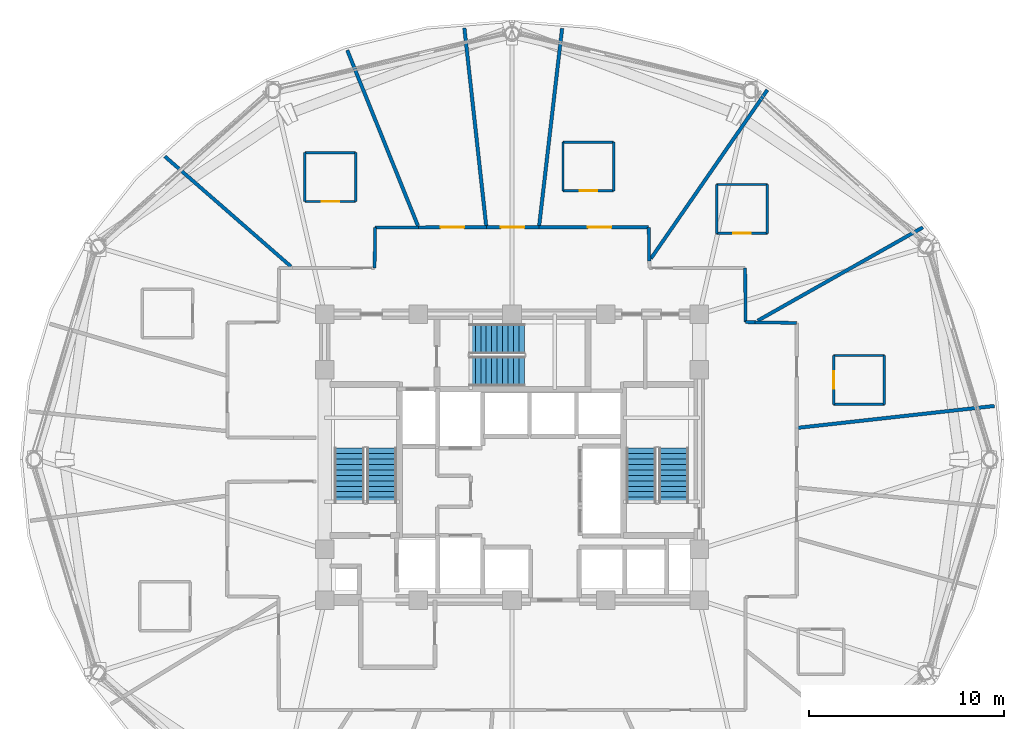
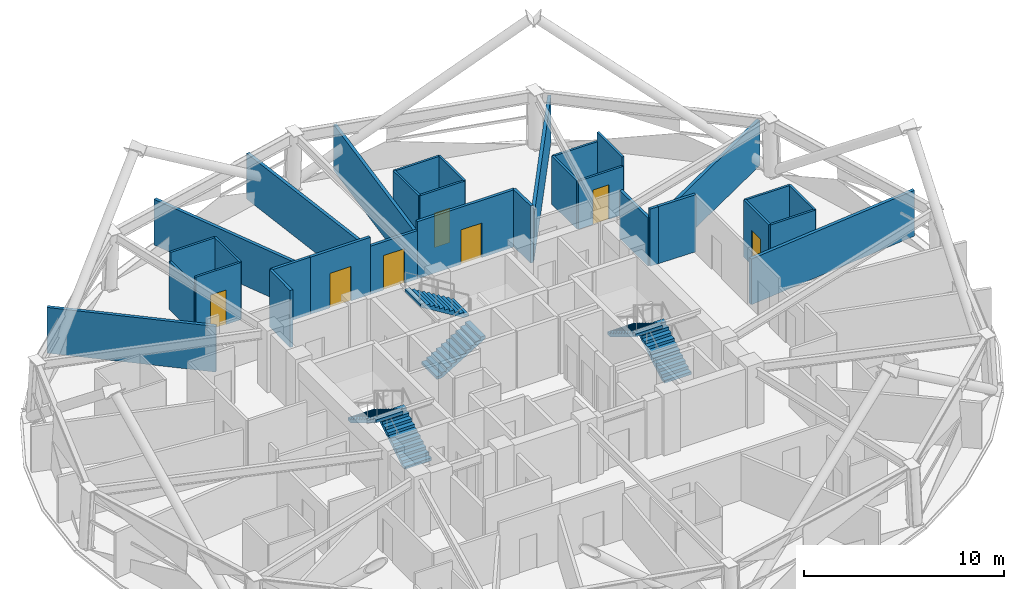
# One storey, part 10 of 13: 32 walls, 7 doors, 6 stair flights, 7 openings, 3 elements without a shape of their own.
"""IFC4 building model written with IfcOpenShell, lengths in metres."""

from ifc_helpers import new_model, si_unit, direction, frame, frame_2d, origin, place, context, subcontext, project, spatial, polyline, rectangle, outline, extrude, material, layer, layer_set, type_object, element, fill, aggregate, save


model = new_model("IFC4")

# Units and contexts
model_context = context("Model", 3, precision=1e-05, world=origin(), true_north=direction((0.0, 1.0)))
body_context = subcontext(model_context, "Body", "Model", "MODEL_VIEW")
ifc_project = project(units=[si_unit("LENGTHUNIT", "METRE"), si_unit("AREAUNIT", "SQUARE_METRE"), si_unit("VOLUMEUNIT", "CUBIC_METRE"), si_unit("PLANEANGLEUNIT", "RADIAN"), si_unit("MASSUNIT", "GRAM", prefix="KILO")], contexts=[model_context])

# Site, building, storey
site_placement = place(None, origin())
site = spatial("IfcSite", under=ifc_project, at=site_placement, CompositionType="ELEMENT")
building_placement = place(site_placement, origin())
building = spatial("IfcBuilding", under=site, at=building_placement, Name="Vantalir Tower", CompositionType="ELEMENT")
storey_placement = place(building_placement, frame((0.0, 0.0, 172.199951171875)))
storey = spatial("IfcBuildingStorey", under=building, at=storey_placement, Name="L43", CompositionType="ELEMENT", Elevation=172.199951171875)

# Walls
ifc_material_1 = material(Name="Moisture-resistant en-suite partition", Category="gypsum")
ifc_layer_1 = layer(ifc_material_1, 0.125)
ifc_layer_set_1 = layer_set([ifc_layer_1], Name="Moisture-resistant en-suite partition")
wall_type_1 = type_object("IfcWallType", Name="WL-BATH-125", PredefinedType="PARTITIONING", material=ifc_layer_set_1)
for number, where, z_axis, x_axis, name in (
    (1, (47.98291015625, 27.830078125, 0.0), (0.0, 0.0, 1.0), (1.0, 0.0, 0.0), "L43 En-suite 01 South Wall"),
    (2, (47.98291015625, 30.330078125, 0.0), (0.0, 0.0, 1.0), (1.0, 0.0, 0.0), "L43 En-suite 01 North Wall"),
):
    element("IfcWall", number, at=place(storey_placement, frame(where, z_axis=z_axis, x_axis=x_axis)), inside=storey, type_object=wall_type_1, Name=name, PredefinedType="PARTITIONING", context=body_context, shape_type="SweptSolid", body=[
        extrude(rectangle(XDim=2.60009765625, YDim=0.125, at=frame_2d((1.300048828125, 0.0))), origin(), (0.0, 0.0, 1.0), 3.47998046875),
    ])

# Wall, opening, door
wall_1_placement = place(storey_placement, frame((47.98291015625, 27.830078125, 0.0), z_axis=(0.0, 0.0, 1.0), x_axis=(0.0, 1.0, 0.0)))
wall_1 = element("IfcWall", 3, at=wall_1_placement, inside=storey, type_object=wall_type_1, Name="L43 En-suite 01 West Wall", PredefinedType="PARTITIONING", context=body_context, shape_type="SweptSolid", body=[
    extrude(rectangle(XDim=2.5, YDim=0.125, at=frame_2d((1.25, 0.0))), origin(), (0.0, 0.0, 1.0), 3.47998046875),
])
opening_1_placement = place(wall_1_placement, frame((0.800048828125, 0.0, 0.0)))
opening_1 = element("IfcOpeningElement", 4, at=opening_1_placement, cuts=wall_1, Name="Opening D-WC", PredefinedType="OPENING", context=body_context, shape_type="SweptSolid", body=[
    extrude(rectangle(XDim=0.89990234375, YDim=2.10009765625, at=frame_2d((0.449951171875, 1.050048828125))), frame((0.0, 0.072509765625, 0.0), z_axis=(0.0, -1.0, 0.0), x_axis=(1.0, 0.0, 0.0)), (0.0, 0.0, 1.0), 0.14501953125),
])
ifc_material_2 = material(Name="Moisture-resistant hardwood door", Category="wood")
door_type_1 = type_object("IfcDoorType", Name="DR-ENSUITE-900", OperationType="NOTDEFINED", PredefinedType="DOOR", material=ifc_material_2)
door_1_placement = place(opening_1_placement, frame((0.89990234375, 0.0, 0.0), z_axis=(0.0, 0.0, 1.0), x_axis=(-1.0, 0.0, 0.0)))
door_1 = element("IfcDoor", 5, at=door_1_placement, inside=storey, type_object=door_type_1, Name="L43 En-suite 01 Door", OperationType="SINGLE_SWING_LEFT", OverallHeight=2.10009765625, OverallWidth=0.89990234375, PredefinedType="DOOR", context=body_context, shape_type="SweptSolid", body=[
    extrude(rectangle(XDim=0.89990234375, YDim=2.10009765625, at=frame_2d((0.449951171875, 1.050048828125))), frame((0.0, 0.02490234375, 0.0), z_axis=(0.0, -1.0, 0.0), x_axis=(1.0, 0.0, 0.0)), (0.0, 0.0, 1.0), 0.050048828125),
])
fill(opening_1, door_1)

# Wall
wall_2_placement = place(storey_placement, frame((50.5830078125, 27.830078125, 0.0), z_axis=(0.0, 0.0, 1.0), x_axis=(0.0, 1.0, 0.0)))
element("IfcWall", 6, at=wall_2_placement, inside=storey, type_object=wall_type_1, Name="L43 En-suite 01 East Wall", PredefinedType="PARTITIONING", context=body_context, shape_type="SweptSolid", body=[
    extrude(rectangle(XDim=2.5, YDim=0.125, at=frame_2d((1.25, 0.0))), origin(), (0.0, 0.0, 1.0), 3.47998046875),
])

# Wall, opening, door
wall_3_placement = place(storey_placement, frame((41.986083984375, 36.594970703125, 0.0), z_axis=(0.0, 0.0, 1.0), x_axis=(1.0, 0.0, 0.0)))
wall_3 = element("IfcWall", 7, at=wall_3_placement, inside=storey, type_object=wall_type_1, Name="L43 En-suite 02 South Wall", PredefinedType="PARTITIONING", context=body_context, shape_type="SweptSolid", body=[
    extrude(rectangle(XDim=2.599853515625, YDim=0.125, at=frame_2d((1.2998046875, 0.0))), origin(), (0.0, 0.0, 1.0), 2.93603515625),
])
opening_2_placement = place(wall_3_placement, frame((0.85009765625, 0.0, 0.0)))
opening_2 = element("IfcOpeningElement", 8, at=opening_2_placement, cuts=wall_3, Name="Opening D-WC", PredefinedType="OPENING", context=body_context, shape_type="SweptSolid", body=[
    extrude(rectangle(XDim=0.89990234375, YDim=2.10009765625, at=frame_2d((0.449951171875, 1.050048828125))), frame((0.0, 0.072509765625, 0.0), z_axis=(0.0, -1.0, 0.0), x_axis=(1.0, 0.0, 0.0)), (0.0, 0.0, 1.0), 0.14501953125),
])
door_2_placement = place(opening_2_placement, origin())
door_2 = element("IfcDoor", 9, at=door_2_placement, inside=storey, type_object=door_type_1, Name="L43 En-suite 02 Door", OperationType="SINGLE_SWING_RIGHT", OverallHeight=2.10009765625, OverallWidth=0.89990234375, PredefinedType="DOOR", context=body_context, shape_type="SweptSolid", body=[
    extrude(rectangle(XDim=0.89990234375, YDim=2.10009765625, at=frame_2d((0.449951171875, 1.050048828125))), frame((0.0, 0.02490234375, 0.0), z_axis=(0.0, -1.0, 0.0), x_axis=(1.0, 0.0, 0.0)), (0.0, 0.0, 1.0), 0.050048828125),
])
fill(opening_2, door_2)

# Walls
wall_4_placement = place(storey_placement, frame((41.986083984375, 39.094970703125, 0.0), z_axis=(0.0, 0.0, 1.0), x_axis=(1.0, 0.0, 0.0)))
element("IfcWall", 10, at=wall_4_placement, inside=storey, type_object=wall_type_1, Name="L43 En-suite 02 North Wall", PredefinedType="PARTITIONING", context=body_context, shape_type="SweptSolid", body=[
    extrude(rectangle(XDim=2.599853515625, YDim=0.125, at=frame_2d((1.2998046875, 0.0))), origin(), (0.0, 0.0, 1.0), 2.93603515625),
])
wall_5_placement = place(storey_placement, frame((41.986083984375, 36.594970703125, 0.0), z_axis=(0.0, 0.0, 1.0), x_axis=(0.0, 1.0, 0.0)))
element("IfcWall", 11, at=wall_5_placement, inside=storey, type_object=wall_type_1, Name="L43 En-suite 02 West Wall", PredefinedType="PARTITIONING", context=body_context, shape_type="SweptSolid", body=[
    extrude(rectangle(XDim=2.5, YDim=0.125, at=frame_2d((1.25, 0.0))), origin(), (0.0, 0.0, 1.0), 2.93603515625),
])
wall_6_placement = place(storey_placement, frame((44.5859375, 36.594970703125, 0.0), z_axis=(0.0, 0.0, 1.0), x_axis=(0.0, 1.0, 0.0)))
element("IfcWall", 12, at=wall_6_placement, inside=storey, type_object=wall_type_1, Name="L43 En-suite 02 East Wall", PredefinedType="PARTITIONING", context=body_context, shape_type="SweptSolid", body=[
    extrude(rectangle(XDim=2.5, YDim=0.125, at=frame_2d((1.25, 0.0))), origin(), (0.0, 0.0, 1.0), 3.47998046875),
])

# Wall, opening, door
wall_7_placement = place(storey_placement, frame((34.113037109375, 38.764892578125, 0.0), z_axis=(0.0, 0.0, 1.0), x_axis=(1.0, 0.0, 0.0)))
wall_7 = element("IfcWall", 13, at=wall_7_placement, inside=storey, type_object=wall_type_1, Name="L43 En-suite 03 South Wall", PredefinedType="PARTITIONING", context=body_context, shape_type="SweptSolid", body=[
    extrude(rectangle(XDim=2.599853515625, YDim=0.125, at=frame_2d((1.2998046875, 0.0))), origin(), (0.0, 0.0, 1.0), 3.47998046875),
])
opening_3_placement = place(wall_7_placement, frame((0.85009765625, 0.0, 0.0)))
opening_3 = element("IfcOpeningElement", 14, at=opening_3_placement, cuts=wall_7, Name="Opening D-WC", PredefinedType="OPENING", context=body_context, shape_type="SweptSolid", body=[
    extrude(rectangle(XDim=0.89990234375, YDim=2.10009765625, at=frame_2d((0.449951171875, 1.050048828125))), frame((0.0, 0.072509765625, 0.0), z_axis=(0.0, -1.0, 0.0), x_axis=(1.0, 0.0, 0.0)), (0.0, 0.0, 1.0), 0.14501953125),
])
door_3_placement = place(opening_3_placement, origin())
door_3 = element("IfcDoor", 15, at=door_3_placement, inside=storey, type_object=door_type_1, Name="L43 En-suite 03 Door", OperationType="SINGLE_SWING_LEFT", OverallHeight=2.10009765625, OverallWidth=0.89990234375, PredefinedType="DOOR", context=body_context, shape_type="SweptSolid", body=[
    extrude(rectangle(XDim=0.89990234375, YDim=2.10009765625, at=frame_2d((0.449951171875, 1.050048828125))), frame((0.0, 0.02490234375, 0.0), z_axis=(0.0, -1.0, 0.0), x_axis=(1.0, 0.0, 0.0)), (0.0, 0.0, 1.0), 0.050048828125),
])
fill(opening_3, door_3)

# Walls
wall_8_placement = place(storey_placement, frame((34.113037109375, 41.264892578125, 0.0), z_axis=(0.0, 0.0, 1.0), x_axis=(1.0, 0.0, 0.0)))
element("IfcWall", 16, at=wall_8_placement, inside=storey, type_object=wall_type_1, Name="L43 En-suite 03 North Wall", PredefinedType="PARTITIONING", context=body_context, shape_type="SweptSolid", body=[
    extrude(rectangle(XDim=2.599853515625, YDim=0.125, at=frame_2d((1.2998046875, 0.0))), origin(), (0.0, 0.0, 1.0), 3.47998046875),
])
for number, where, z_axis, x_axis, name in (
    (17, (34.113037109375, 38.764892578125, 0.0), (0.0, 0.0, 1.0), (0.0, 1.0, 0.0), "L43 En-suite 03 West Wall"),
    (18, (36.712890625, 38.764892578125, 0.0), (0.0, 0.0, 1.0), (0.0, 1.0, 0.0), "L43 En-suite 03 East Wall"),
):
    element("IfcWall", number, at=place(storey_placement, frame(where, z_axis=z_axis, x_axis=x_axis)), inside=storey, type_object=wall_type_1, Name=name, PredefinedType="PARTITIONING", context=body_context, shape_type="SweptSolid", body=[
        extrude(rectangle(XDim=2.5, YDim=0.125, at=frame_2d((1.25, 0.0))), origin(), (0.0, 0.0, 1.0), 3.47998046875),
    ])

# Wall, opening, door
wall_9_placement = place(storey_placement, frame((20.889892578125, 38.222900390625, 0.0), z_axis=(0.0, 0.0, 1.0), x_axis=(1.0, 0.0, 0.0)))
wall_9 = element("IfcWall", 19, at=wall_9_placement, inside=storey, type_object=wall_type_1, Name="L43 En-suite 06 South Wall", PredefinedType="PARTITIONING", context=body_context, shape_type="SweptSolid", body=[
    extrude(rectangle(XDim=2.60009765625, YDim=0.125, at=frame_2d((1.300048828125, 0.0))), origin(), (0.0, 0.0, 1.0), 3.47998046875),
])
opening_4_placement = place(wall_9_placement, frame((0.85009765625, 0.0, 0.0)))
opening_4 = element("IfcOpeningElement", 20, at=opening_4_placement, cuts=wall_9, Name="Opening D-WC", PredefinedType="OPENING", context=body_context, shape_type="SweptSolid", body=[
    extrude(rectangle(XDim=0.89990234375, YDim=2.10009765625, at=frame_2d((0.449951171875, 1.050048828125))), frame((0.0, 0.072509765625, 0.0), z_axis=(0.0, -1.0, 0.0), x_axis=(1.0, 0.0, 0.0)), (0.0, 0.0, 1.0), 0.14501953125),
])
door_4_placement = place(opening_4_placement, origin())
door_4 = element("IfcDoor", 21, at=door_4_placement, inside=storey, type_object=door_type_1, Name="L43 En-suite 06 Door", OperationType="SINGLE_SWING_RIGHT", OverallHeight=2.10009765625, OverallWidth=0.89990234375, PredefinedType="DOOR", context=body_context, shape_type="SweptSolid", body=[
    extrude(rectangle(XDim=0.89990234375, YDim=2.10009765625, at=frame_2d((0.449951171875, 1.050048828125))), frame((0.0, 0.02490234375, 0.0), z_axis=(0.0, -1.0, 0.0), x_axis=(1.0, 0.0, 0.0)), (0.0, 0.0, 1.0), 0.050048828125),
])
fill(opening_4, door_4)

# Walls
wall_10_placement = place(storey_placement, frame((20.889892578125, 40.722900390625, 0.0), z_axis=(0.0, 0.0, 1.0), x_axis=(1.0, 0.0, 0.0)))
element("IfcWall", 22, at=wall_10_placement, inside=storey, type_object=wall_type_1, Name="L43 En-suite 06 North Wall", PredefinedType="PARTITIONING", context=body_context, shape_type="SweptSolid", body=[
    extrude(rectangle(XDim=2.60009765625, YDim=0.125, at=frame_2d((1.300048828125, 0.0))), origin(), (0.0, 0.0, 1.0), 3.47998046875),
])
wall_11_placement = place(storey_placement, frame((20.889892578125, 38.222900390625, 0.0), z_axis=(0.0, 0.0, 1.0), x_axis=(0.0, 1.0, 0.0)))
element("IfcWall", 23, at=wall_11_placement, inside=storey, type_object=wall_type_1, Name="L43 En-suite 06 West Wall", PredefinedType="PARTITIONING", context=body_context, shape_type="SweptSolid", body=[
    extrude(rectangle(XDim=2.5, YDim=0.125, at=frame_2d((1.25, 0.0))), origin(), (0.0, 0.0, 1.0), 2.93603515625),
])
wall_12_placement = place(storey_placement, frame((23.489990234375, 38.222900390625, 0.0), z_axis=(0.0, 0.0, 1.0), x_axis=(0.0, 1.0, 0.0)))
element("IfcWall", 24, at=wall_12_placement, inside=storey, type_object=wall_type_1, Name="L43 En-suite 06 East Wall", PredefinedType="PARTITIONING", context=body_context, shape_type="SweptSolid", body=[
    extrude(rectangle(XDim=2.5, YDim=0.125, at=frame_2d((1.25, 0.0))), origin(), (0.0, 0.0, 1.0), 3.47998046875),
])
ifc_material_3 = material(Name="Fire-rated hotel corridor acoustic partition", Category="gypsum")
ifc_layer_2 = layer(ifc_material_3, 0.159912109375)
ifc_layer_set_2 = layer_set([ifc_layer_2], Name="Fire-rated hotel corridor acoustic partition")
wall_type_2 = type_object("IfcWallType", Name="WL-CORR-160", PredefinedType="PARTITIONING", material=ifc_layer_set_2)
wall_13_placement = place(storey_placement, frame((24.4599609375, 34.81494140625, 0.0), z_axis=(0.0, 0.0, 1.0), x_axis=(0.012065663349, 0.999927207235, 0.0)))
element("IfcWall", 25, at=wall_13_placement, inside=storey, type_object=wall_type_2, Name="L43 Corridor Partition 09", PredefinedType="PARTITIONING", context=body_context, shape_type="SweptSolid", body=[
    extrude(rectangle(XDim=2.084228515625, YDim=0.159912109375, at=frame_2d((1.0419921875, 0.0))), origin(), (0.0, 0.0, 1.0), 3.47998046875),
])
wall_14_placement = place(storey_placement, frame((24.485107421875, 36.89892578125, 0.0), z_axis=(0.0, 0.0, 1.0), x_axis=(0.999999903669, 0.00043893335, 0.0)))
element("IfcWall", 26, at=wall_14_placement, inside=storey, type_object=wall_type_2, Name="L43 Corridor Partition 10", PredefinedType="PARTITIONING", context=body_context, shape_type="SweptSolid", body=[
    extrude(rectangle(XDim=2.224853515625, YDim=0.159912109375, at=frame_2d((1.1123046875, 0.0))), origin(), (0.0, 0.0, 1.0), 3.47998046875),
])

# Wall, opening, door
wall_15_placement = place(storey_placement, frame((26.7099609375, 36.89990234375, 0.0), z_axis=(0.0, 0.0, 1.0), x_axis=(0.999999960559, 0.000280859419, 0.0)))
wall_15 = element("IfcWall", 27, at=wall_15_placement, inside=storey, type_object=wall_type_2, Name="L43 Corridor Partition 11", PredefinedType="PARTITIONING", context=body_context, shape_type="SweptSolid", body=[
    extrude(rectangle(XDim=3.47705078125, YDim=0.159912109375, at=frame_2d((1.738525390625, 0.0))), origin(), (0.0, 0.0, 1.0), 3.47998046875),
])
opening_5_placement = place(wall_15_placement, frame((1.138916015625, 0.0, 0.0)))
opening_5 = element("IfcOpeningElement", 28, at=opening_5_placement, cuts=wall_15, Name="Opening D-STE", PredefinedType="OPENING", context=body_context, shape_type="SweptSolid", body=[
    extrude(rectangle(XDim=1.199951171875, YDim=2.10009765625, at=frame_2d((0.60009765625, 1.050048828125))), frame((0.0, 0.08984375, 0.0), z_axis=(0.0, -1.0, 0.0), x_axis=(1.0, 0.0, 0.0)), (0.0, 0.0, 1.0), 0.179931640625),
])
ifc_material_4 = material(Name="Solid-core teak veneer suite entrance door", Category="wood")
door_type_2 = type_object("IfcDoorType", Name="DR-SUITE-ENTRY-1200", OperationType="NOTDEFINED", PredefinedType="DOOR", material=ifc_material_4)
door_5_placement = place(opening_5_placement, origin())
door_5 = element("IfcDoor", 29, at=door_5_placement, inside=storey, type_object=door_type_2, Name="L43 Club Reading Lounge 05 Door", OperationType="SINGLE_SWING_RIGHT", OverallHeight=2.10009765625, OverallWidth=1.199951171875, PredefinedType="DOOR", context=body_context, shape_type="SweptSolid", body=[
    extrude(rectangle(XDim=1.199951171875, YDim=2.10009765625, at=frame_2d((0.60009765625, 1.050048828125))), frame((0.0, 0.02490234375, 0.0), z_axis=(0.0, -1.0, 0.0), x_axis=(1.0, 0.0, 0.0)), (0.0, 0.0, 1.0), 0.050048828125),
])
fill(opening_5, door_5)

wall_16_placement = place(storey_placement, frame((30.18701171875, 36.90087890625, 0.0), z_axis=(0.0, 0.0, 1.0), x_axis=(1.0, 0.0, 0.0)))
wall_16 = element("IfcWall", 30, at=wall_16_placement, inside=storey, type_object=wall_type_2, Name="L43 Corridor Partition 12", PredefinedType="PARTITIONING", context=body_context, shape_type="SweptSolid", body=[
    extrude(rectangle(XDim=2.696044921875, YDim=0.159912109375, at=frame_2d((1.34814453125, 0.0))), origin(), (0.0, 0.0, 1.0), 2.93603515625),
])
opening_6_placement = place(wall_16_placement, frame((0.748046875, 0.0, 0.0)))
opening_6 = element("IfcOpeningElement", 31, at=opening_6_placement, cuts=wall_16, Name="Opening D-STE", PredefinedType="OPENING", context=body_context, shape_type="SweptSolid", body=[
    extrude(rectangle(XDim=1.199951171875, YDim=2.10009765625, at=frame_2d((0.60009765625, 1.050048828125))), frame((0.0, 0.08984375, 0.0), z_axis=(0.0, -1.0, 0.0), x_axis=(1.0, 0.0, 0.0)), (0.0, 0.0, 1.0), 0.179931640625),
])
door_6_placement = place(opening_6_placement, origin())
door_6 = element("IfcDoor", 32, at=door_6_placement, inside=storey, type_object=door_type_2, Name="L43 Executive Business Study 04 Door", OperationType="SINGLE_SWING_LEFT", OverallHeight=2.10009765625, OverallWidth=1.199951171875, PredefinedType="DOOR", context=body_context, shape_type="SweptSolid", body=[
    extrude(rectangle(XDim=1.199951171875, YDim=2.10009765625, at=frame_2d((0.60009765625, 1.050048828125))), frame((0.0, 0.02490234375, 0.0), z_axis=(0.0, -1.0, 0.0), x_axis=(1.0, 0.0, 0.0)), (0.0, 0.0, 1.0), 0.050048828125),
])
fill(opening_6, door_6)

wall_17_placement = place(storey_placement, frame((32.883056640625, 36.90087890625, 0.0), z_axis=(0.0, 0.0, 1.0), x_axis=(0.999999976418, 0.000217174125, 0.0)))
wall_17 = element("IfcWall", 33, at=wall_17_placement, inside=storey, type_object=wall_type_2, Name="L43 Corridor Partition 13", PredefinedType="PARTITIONING", context=body_context, shape_type="SweptSolid", body=[
    extrude(rectangle(XDim=5.620849609375, YDim=0.159912109375, at=frame_2d((2.810546875, 0.0))), origin(), (0.0, 0.0, 1.0), 3.47998046875),
])
opening_7_placement = place(wall_17_placement, frame((2.5029296875, 0.0, 0.0)))
opening_7 = element("IfcOpeningElement", 34, at=opening_7_placement, cuts=wall_17, Name="Opening D-STE", PredefinedType="OPENING", context=body_context, shape_type="SweptSolid", body=[
    extrude(rectangle(XDim=1.199951171875, YDim=2.10009765625, at=frame_2d((0.60009765625, 1.050048828125))), frame((0.0, 0.08984375, 0.0), z_axis=(0.0, -1.0, 0.0), x_axis=(1.0, 0.0, 0.0)), (0.0, 0.0, 1.0), 0.179931640625),
])
door_7_placement = place(opening_7_placement, origin())
door_7 = element("IfcDoor", 35, at=door_7_placement, inside=storey, type_object=door_type_2, Name="L43 Corner Panorama Hotel Suite 03 Door", OperationType="SINGLE_SWING_RIGHT", OverallHeight=2.10009765625, OverallWidth=1.199951171875, PredefinedType="DOOR", context=body_context, shape_type="SweptSolid", body=[
    extrude(rectangle(XDim=1.199951171875, YDim=2.10009765625, at=frame_2d((0.60009765625, 1.050048828125))), frame((0.0, 0.02490234375, 0.0), z_axis=(0.0, -1.0, 0.0), x_axis=(1.0, 0.0, 0.0)), (0.0, 0.0, 1.0), 0.050048828125),
])
fill(opening_7, door_7)

# Walls
wall_18_placement = place(storey_placement, frame((38.50390625, 36.902099609375, 0.0), z_axis=(0.0, 0.0, 1.0), x_axis=(0.017424387449, -0.999848183837, 0.0)))
element("IfcWall", 36, at=wall_18_placement, inside=storey, type_object=wall_type_2, Name="L43 Corridor Partition 14", PredefinedType="PARTITIONING", context=body_context, shape_type="SweptSolid", body=[
    extrude(rectangle(XDim=1.723388671875, YDim=0.159912109375, at=frame_2d((0.86181640625, 0.0))), origin(), (0.0, 0.0, 1.0), 3.47998046875),
])
wall_19_placement = place(storey_placement, frame((43.447021484375, 34.80810546875, 0.0), z_axis=(0.0, 0.0, 1.0), x_axis=(0.006526585281, -0.999978701615, 0.0)))
element("IfcWall", 37, at=wall_19_placement, inside=storey, type_object=wall_type_2, Name="L43 Corridor Partition 17", PredefinedType="PARTITIONING", context=body_context, shape_type="SweptSolid", body=[
    extrude(rectangle(XDim=2.76806640625, YDim=0.159912109375, at=frame_2d((1.384033203125, 0.0))), origin(), (0.0, 0.0, 1.0), 2.93603515625),
])
wall_20_placement = place(storey_placement, frame((43.465087890625, 32.0400390625, 0.0), z_axis=(0.0, 0.0, 1.0), x_axis=(0.999891666451, -0.014719217425, 0.0)))
element("IfcWall", 38, at=wall_20_placement, inside=storey, type_object=wall_type_2, Name="L43 Corridor Partition 18", PredefinedType="PARTITIONING", context=body_context, shape_type="SweptSolid", body=[
    extrude(rectangle(XDim=0.48095703125, YDim=0.159912109375, at=frame_2d((0.240478515625, 0.0))), origin(), (0.0, 0.0, 1.0), 3.47998046875),
])
wall_21_placement = place(storey_placement, frame((43.946044921875, 32.032958984375, 0.0), z_axis=(0.0, 0.0, 1.0), x_axis=(0.999881866325, -0.015370536547, 0.0)))
element("IfcWall", 39, at=wall_21_placement, inside=storey, type_object=wall_type_2, Name="L43 Corridor Partition 19", PredefinedType="PARTITIONING", context=body_context, shape_type="SweptSolid", body=[
    extrude(rectangle(XDim=2.144287109375, YDim=0.159912109375, at=frame_2d((1.072265625, 0.0))), origin(), (0.0, 0.0, 1.0), 3.47998046875),
])
ifc_material_5 = material(Name="Twin-stud acoustic fire-rated gypsum partition", Category="gypsum")
ifc_layer_3 = layer(ifc_material_5, 0.179931640625)
ifc_layer_set_3 = layer_set([ifc_layer_3], Name="Twin-stud acoustic fire-rated gypsum partition")
wall_type_3 = type_object("IfcWallType", Name="WL-GUEST-180", PredefinedType="PARTITIONING", material=ifc_layer_set_3)
wall_22_placement = place(storey_placement, frame((46.1650390625, 26.6279296875, 0.0), z_axis=(0.0, 0.0, 1.0), x_axis=(0.993893739633, 0.110341444244, 0.0)))
element("IfcWall", 40, at=wall_22_placement, inside=storey, type_object=wall_type_3, Name="L43 Radial Suite Partition 01", PredefinedType="PARTITIONING", context=body_context, shape_type="SweptSolid", body=[
    extrude(rectangle(XDim=10.11376953125, YDim=0.179931640625, at=frame_2d((5.056884765625, 0.0))), origin(), (0.0, 0.0, 1.0), 2.782958984375),
])
wall_23_placement = place(storey_placement, frame((44.091064453125, 32.114990234375, 0.0), z_axis=(0.0, 0.0, 1.0), x_axis=(0.87061851124, 0.491958746122, 0.0)))
element("IfcWall", 41, at=wall_23_placement, inside=storey, type_object=wall_type_3, Name="L43 Radial Suite Partition 02", PredefinedType="PARTITIONING", context=body_context, shape_type="SweptSolid", body=[
    extrude(rectangle(XDim=9.71826171875, YDim=0.179931640625, at=frame_2d((4.859130859375, 0.0))), origin(), (0.0, 0.0, 1.0), 2.782958984375),
])
wall_24_placement = place(storey_placement, frame((38.614990234375, 35.297119140625, 0.0), z_axis=(0.0, 0.0, 1.0), x_axis=(0.568508810202, 0.822677174062, 0.0)))
element("IfcWall", 42, at=wall_24_placement, inside=storey, type_object=wall_type_3, Name="L43 Radial Suite Partition 03", PredefinedType="PARTITIONING", context=body_context, shape_type="SweptSolid", body=[
    extrude(rectangle(XDim=10.504638671875, YDim=0.179931640625, at=frame_2d((5.25244140625, 0.0))), origin(), (0.0, 0.0, 1.0), 2.782958984375),
])
wall_25_placement = place(storey_placement, frame((32.89208984375, 36.97802734375, 0.0), z_axis=(0.0, 0.0, 1.0), x_axis=(0.115443667248, 0.99331402874, 0.0)))
element("IfcWall", 43, at=wall_25_placement, inside=storey, type_object=wall_type_3, Name="L43 Radial Suite Partition 04", PredefinedType="PARTITIONING", context=body_context, shape_type="SweptSolid", body=[
    extrude(rectangle(XDim=10.18701171875, YDim=0.179931640625, at=frame_2d((5.093505859375, 0.0))), origin(), (0.0, 0.0, 1.0), 2.782958984375),
])
wall_26_placement = place(storey_placement, frame((30.177978515625, 36.97802734375, 0.0), z_axis=(0.0, 0.0, 1.0), x_axis=(-0.109703118526, 0.993964398651, 0.0)))
element("IfcWall", 44, at=wall_26_placement, inside=storey, type_object=wall_type_3, Name="L43 Radial Suite Partition 05", PredefinedType="PARTITIONING", context=body_context, shape_type="SweptSolid", body=[
    extrude(rectangle(XDim=10.1904296875, YDim=0.179931640625, at=frame_2d((5.09521484375, 0.0))), origin(), (0.0, 0.0, 1.0), 2.782958984375),
])
wall_27_placement = place(storey_placement, frame((26.678955078125, 36.97802734375, 0.0), z_axis=(0.0, 0.0, 1.0), x_axis=(-0.3733858657, 0.927676126294, 0.0)))
element("IfcWall", 45, at=wall_27_placement, inside=storey, type_object=wall_type_3, Name="L43 Radial Suite Partition 06", PredefinedType="PARTITIONING", context=body_context, shape_type="SweptSolid", body=[
    extrude(rectangle(XDim=9.70068359375, YDim=0.179931640625, at=frame_2d((4.850341796875, 0.0))), origin(), (0.0, 0.0, 1.0), 2.782958984375),
])
wall_28_placement = place(storey_placement, frame((20.175048828125, 34.889892578125, 0.0), z_axis=(0.0, 0.0, 1.0), x_axis=(-0.753258118622, 0.657725023646, 0.0)))
element("IfcWall", 46, at=wall_28_placement, inside=storey, type_object=wall_type_3, Name="L43 Radial Suite Partition 07", PredefinedType="PARTITIONING", context=body_context, shape_type="SweptSolid", body=[
    extrude(rectangle(XDim=8.584228515625, YDim=0.179931640625, at=frame_2d((4.2919921875, 0.0))), origin(), (0.0, 0.0, 1.0), 2.782958984375),
])

# Stair, stair flights
ifc_material_6 = material(Name="Concrete C40/50", Category="concrete")
stair_type = type_object("IfcStairType", Name="STR-CORE-1450", PredefinedType="HALF_TURN_STAIR", material=ifc_material_6)
stair_1_placement = place(storey_placement, origin())
stair_1 = element("IfcStair", 47, at=stair_1_placement, inside=storey, type_object=stair_type, Name="L43 Core Exit Stair 1", PredefinedType="HALF_TURN_STAIR")
stair_flight_type = type_object("IfcStairFlightType", Name="FLT-CORE-1450", PredefinedType="STRAIGHT", material=ifc_material_6)
stair_flight_1_placement = place(storey_placement, frame((24.830078125, 22.7900390625, 0.0), z_axis=(0.0, 0.0, 1.0), x_axis=(0.0, 1.0, 0.0)))
stair_flight_1 = element("IfcStairFlight", 48, at=stair_flight_1_placement, type_object=stair_flight_type, Name="ST1 flight 1", NumberOfRisers=11, NumberOfTreads=10, PredefinedType="STRAIGHT", RiserHeight=0.170454545, TreadLength=0.28, context=body_context, shape_type="SweptSolid", body=[
    extrude(outline(polyline([(0.0, 0.0), (0.0, 0.17041015625), (0.280029296875, 0.17041015625), (0.280029296875, 0.3408203125), (0.56005859375, 0.3408203125), (0.56005859375, 0.511474609375), (0.840087890625, 0.511474609375), (0.840087890625, 0.681884765625), (1.1201171875, 0.681884765625), (1.1201171875, 0.852294921875), (1.39990234375, 0.852294921875), (1.39990234375, 1.022705078125), (1.679931640625, 1.022705078125), (1.679931640625, 1.193115234375), (1.9599609375, 1.193115234375), (1.9599609375, 1.363525390625), (2.239990234375, 1.363525390625), (2.239990234375, 1.5341796875), (2.52001953125, 1.5341796875), (2.52001953125, 1.70458984375), (2.800048828125, 1.70458984375), (2.800048828125, 1.875), (2.800048828125, 1.529052734375), (0.288330078125, 0.0), (0.0, 0.0)])), frame((0.0, 0.77001953125, 0.0), z_axis=(0.0, -1.0, 0.0), x_axis=(1.0, 0.0, 0.0)), (0.0, 0.0, 1.0), 1.5400390625),
])
stair_flight_2_placement = place(storey_placement, frame((23.169921875, 25.590087890625, 1.875), z_axis=(0.0, 0.0, 1.0), x_axis=(0.0, -1.0, 0.0)))
stair_flight_2 = element("IfcStairFlight", 49, at=stair_flight_2_placement, type_object=stair_flight_type, Name="ST1 flight 2", NumberOfRisers=11, NumberOfTreads=10, PredefinedType="STRAIGHT", RiserHeight=0.170454545, TreadLength=0.28, context=body_context, shape_type="SweptSolid", body=[
    extrude(outline(polyline([(0.0, 0.0), (0.0, 0.17041015625), (0.280029296875, 0.17041015625), (0.280029296875, 0.3408203125), (0.56005859375, 0.3408203125), (0.56005859375, 0.511474609375), (0.840087890625, 0.511474609375), (0.840087890625, 0.681884765625), (1.1201171875, 0.681884765625), (1.1201171875, 0.852294921875), (1.39990234375, 0.852294921875), (1.39990234375, 1.022705078125), (1.679931640625, 1.022705078125), (1.679931640625, 1.193115234375), (1.9599609375, 1.193115234375), (1.9599609375, 1.363525390625), (2.239990234375, 1.363525390625), (2.239990234375, 1.5341796875), (2.52001953125, 1.5341796875), (2.52001953125, 1.70458984375), (2.800048828125, 1.70458984375), (2.800048828125, 1.875), (2.800048828125, 1.529052734375), (0.288330078125, 0.0), (0.0, 0.0)])), frame((0.0, 0.77001953125, 0.0), z_axis=(0.0, -1.0, 0.0), x_axis=(1.0, 0.0, 0.0)), (0.0, 0.0, 1.0), 1.5400390625),
])
aggregate(stair_1, [stair_flight_1, stair_flight_2])

stair_2_placement = place(storey_placement, origin())
stair_2 = element("IfcStair", 50, at=stair_2_placement, inside=storey, type_object=stair_type, Name="L43 Core Exit Stair 2", PredefinedType="HALF_TURN_STAIR")
stair_flight_3_placement = place(storey_placement, frame((39.780029296875, 22.7900390625, 0.0), z_axis=(0.0, 0.0, 1.0), x_axis=(0.0, 1.0, 0.0)))
stair_flight_3 = element("IfcStairFlight", 51, at=stair_flight_3_placement, type_object=stair_flight_type, Name="ST2 flight 1", NumberOfRisers=11, NumberOfTreads=10, PredefinedType="STRAIGHT", RiserHeight=0.170454545, TreadLength=0.28, context=body_context, shape_type="SweptSolid", body=[
    extrude(outline(polyline([(0.0, 0.0), (0.0, 0.17041015625), (0.280029296875, 0.17041015625), (0.280029296875, 0.3408203125), (0.56005859375, 0.3408203125), (0.56005859375, 0.511474609375), (0.840087890625, 0.511474609375), (0.840087890625, 0.681884765625), (1.1201171875, 0.681884765625), (1.1201171875, 0.852294921875), (1.39990234375, 0.852294921875), (1.39990234375, 1.022705078125), (1.679931640625, 1.022705078125), (1.679931640625, 1.193115234375), (1.9599609375, 1.193115234375), (1.9599609375, 1.363525390625), (2.239990234375, 1.363525390625), (2.239990234375, 1.5341796875), (2.52001953125, 1.5341796875), (2.52001953125, 1.70458984375), (2.800048828125, 1.70458984375), (2.800048828125, 1.875), (2.800048828125, 1.529052734375), (0.288330078125, 0.0), (0.0, 0.0)])), frame((0.0, 0.77001953125, 0.0), z_axis=(0.0, -1.0, 0.0), x_axis=(1.0, 0.0, 0.0)), (0.0, 0.0, 1.0), 1.5400390625),
])
stair_flight_4_placement = place(storey_placement, frame((38.1201171875, 25.590087890625, 1.875), z_axis=(0.0, 0.0, 1.0), x_axis=(0.0, -1.0, 0.0)))
stair_flight_4 = element("IfcStairFlight", 52, at=stair_flight_4_placement, type_object=stair_flight_type, Name="ST2 flight 2", NumberOfRisers=11, NumberOfTreads=10, PredefinedType="STRAIGHT", RiserHeight=0.170454545, TreadLength=0.28, context=body_context, shape_type="SweptSolid", body=[
    extrude(outline(polyline([(0.0, 0.0), (0.0, 0.17041015625), (0.280029296875, 0.17041015625), (0.280029296875, 0.3408203125), (0.56005859375, 0.3408203125), (0.56005859375, 0.511474609375), (0.840087890625, 0.511474609375), (0.840087890625, 0.681884765625), (1.1201171875, 0.681884765625), (1.1201171875, 0.852294921875), (1.39990234375, 0.852294921875), (1.39990234375, 1.022705078125), (1.679931640625, 1.022705078125), (1.679931640625, 1.193115234375), (1.9599609375, 1.193115234375), (1.9599609375, 1.363525390625), (2.239990234375, 1.363525390625), (2.239990234375, 1.5341796875), (2.52001953125, 1.5341796875), (2.52001953125, 1.70458984375), (2.800048828125, 1.70458984375), (2.800048828125, 1.875), (2.800048828125, 1.529052734375), (0.288330078125, 0.0), (0.0, 0.0)])), frame((0.0, 0.77001953125, 0.0), z_axis=(0.0, -1.0, 0.0), x_axis=(1.0, 0.0, 0.0)), (0.0, 0.0, 1.0), 1.5400390625),
])
aggregate(stair_2, [stair_flight_3, stair_flight_4])

stair_3_placement = place(storey_placement, origin())
stair_3 = element("IfcStair", 53, at=stair_3_placement, inside=storey, type_object=stair_type, Name="L43 Core Exit Stair 3", PredefinedType="HALF_TURN_STAIR")
stair_flight_5_placement = place(storey_placement, frame((29.340087890625, 29.52001953125, 0.0), z_axis=(0.0, 0.0, 1.0), x_axis=(1.0, 0.0, 0.0)))
stair_flight_5 = element("IfcStairFlight", 54, at=stair_flight_5_placement, type_object=stair_flight_type, Name="ST3 flight 1", NumberOfRisers=11, NumberOfTreads=10, PredefinedType="STRAIGHT", RiserHeight=0.170454545, TreadLength=0.28, context=body_context, shape_type="SweptSolid", body=[
    extrude(outline(polyline([(0.0, 0.0), (0.0, 0.17041015625), (0.280029296875, 0.17041015625), (0.280029296875, 0.3408203125), (0.56005859375, 0.3408203125), (0.56005859375, 0.511474609375), (0.840087890625, 0.511474609375), (0.840087890625, 0.681884765625), (1.1201171875, 0.681884765625), (1.1201171875, 0.852294921875), (1.39990234375, 0.852294921875), (1.39990234375, 1.022705078125), (1.679931640625, 1.022705078125), (1.679931640625, 1.193115234375), (1.9599609375, 1.193115234375), (1.9599609375, 1.363525390625), (2.239990234375, 1.363525390625), (2.239990234375, 1.5341796875), (2.52001953125, 1.5341796875), (2.52001953125, 1.70458984375), (2.800048828125, 1.70458984375), (2.800048828125, 1.875), (2.800048828125, 1.529052734375), (0.288330078125, 0.0), (0.0, 0.0)])), frame((0.0, 0.77001953125, 0.0), z_axis=(0.0, -1.0, 0.0), x_axis=(1.0, 0.0, 0.0)), (0.0, 0.0, 1.0), 1.5400390625),
])
stair_flight_6_placement = place(storey_placement, frame((32.139892578125, 31.179931640625, 1.875), z_axis=(0.0, 0.0, 1.0), x_axis=(-1.0, 0.0, 0.0)))
stair_flight_6 = element("IfcStairFlight", 55, at=stair_flight_6_placement, type_object=stair_flight_type, Name="ST3 flight 2", NumberOfRisers=11, NumberOfTreads=10, PredefinedType="STRAIGHT", RiserHeight=0.170454545, TreadLength=0.28, context=body_context, shape_type="SweptSolid", body=[
    extrude(outline(polyline([(0.0, 0.0), (0.0, 0.17041015625), (0.280029296875, 0.17041015625), (0.280029296875, 0.3408203125), (0.56005859375, 0.3408203125), (0.56005859375, 0.511474609375), (0.840087890625, 0.511474609375), (0.840087890625, 0.681884765625), (1.1201171875, 0.681884765625), (1.1201171875, 0.852294921875), (1.39990234375, 0.852294921875), (1.39990234375, 1.022705078125), (1.679931640625, 1.022705078125), (1.679931640625, 1.193115234375), (1.9599609375, 1.193115234375), (1.9599609375, 1.363525390625), (2.239990234375, 1.363525390625), (2.239990234375, 1.5341796875), (2.52001953125, 1.5341796875), (2.52001953125, 1.70458984375), (2.800048828125, 1.70458984375), (2.800048828125, 1.875), (2.800048828125, 1.529052734375), (0.288330078125, 0.0), (0.0, 0.0)])), frame((0.0, 0.77001953125, 0.0), z_axis=(0.0, -1.0, 0.0), x_axis=(1.0, 0.0, 0.0)), (0.0, 0.0, 1.0), 1.5400390625),
])
aggregate(stair_3, [stair_flight_5, stair_flight_6])

save(model, "model.ifc")
